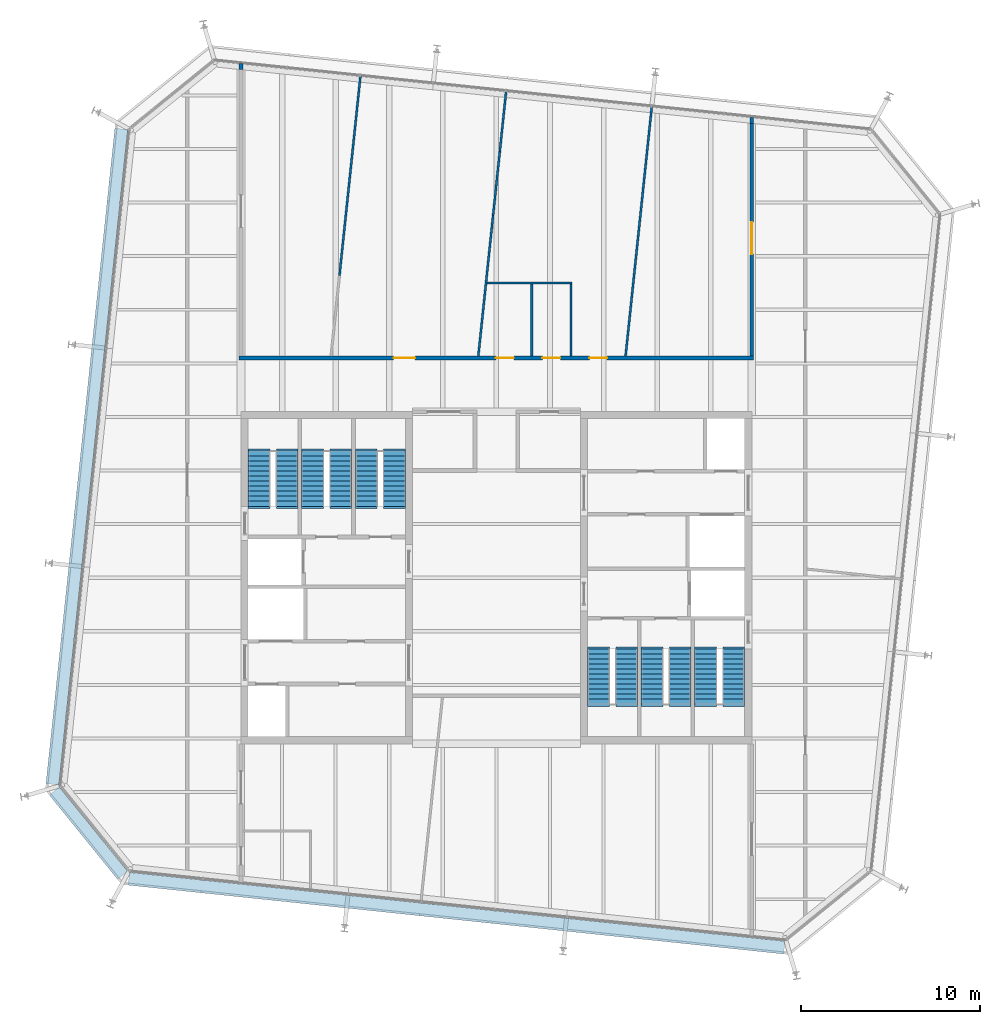
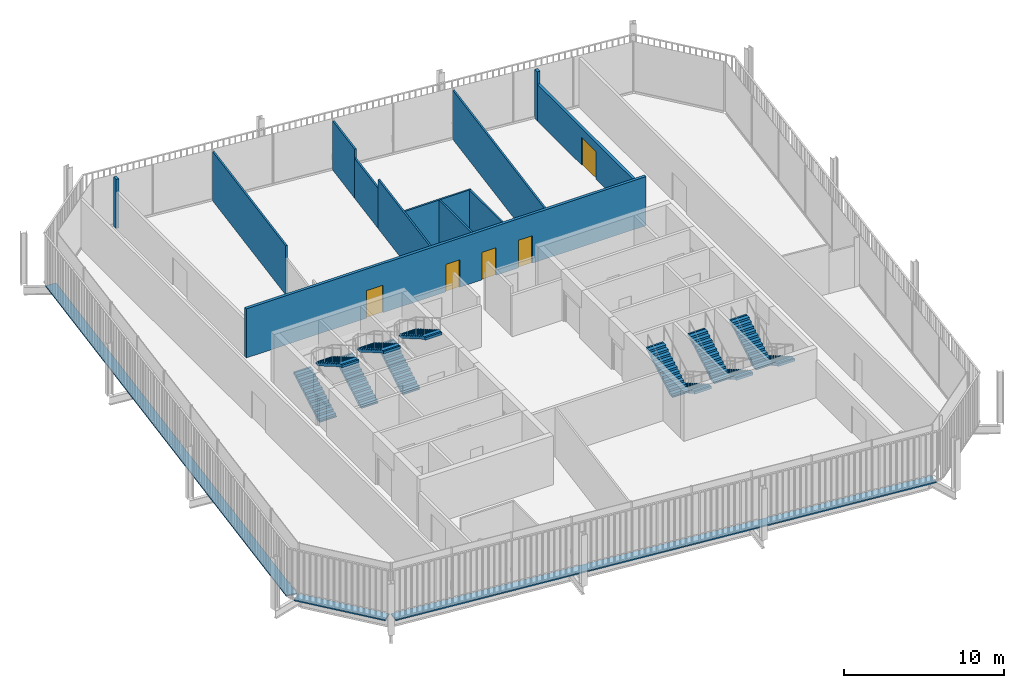
# One storey, part 18 of 20: 12 stair flights, 12 walls, 5 doors, 3 discrete accessories, 5 openings, 6 elements without a shape of their own.
"""IFC4 building model written with IfcOpenShell, lengths in metres."""

from ifc_helpers import new_model, si_unit, direction, frame, frame_2d, origin, origin_2d, place, context, subcontext, project, spatial, polyline, rectangle, outline, extrude, material, layer, layer_set, type_object, element, fill, aggregate, save


model = new_model("IFC4")

# Units and contexts
model_context = context("Model", 3, precision=1e-05, world=origin(), true_north=direction((0.0, 1.0)))
body_context = subcontext(model_context, "Body", "Model", "MODEL_VIEW")
ifc_project = project(units=[si_unit("LENGTHUNIT", "METRE"), si_unit("AREAUNIT", "SQUARE_METRE"), si_unit("VOLUMEUNIT", "CUBIC_METRE"), si_unit("PLANEANGLEUNIT", "RADIAN"), si_unit("MASSUNIT", "GRAM", prefix="KILO")], contexts=[model_context])

# Site, building, storey
site_placement = place(None, origin())
site = spatial("IfcSite", under=ifc_project, at=site_placement, CompositionType="ELEMENT")
building_placement = place(site_placement, origin())
building = spatial("IfcBuilding", under=site, at=building_placement, Name="Millrace Tower", CompositionType="ELEMENT")
storey_placement = place(building_placement, frame((0.0, 0.0, 279.89990234375)))
storey = spatial("IfcBuildingStorey", under=building, at=storey_placement, Name="L64", CompositionType="ELEMENT", Elevation=279.89990234375)

# Wall, openings, doors
ifc_material_1 = material(Name="Masonry partition, fire-rated", Category="masonry")
ifc_layer_1 = layer(ifc_material_1, 0.199951171875)
ifc_layer_set_1 = layer_set([ifc_layer_1], Name="Masonry partition, fire-rated")
wall_type_1 = type_object("IfcWallType", Name="Corridor wall 200", PredefinedType="PARTITIONING", material=ifc_layer_set_1)
wall_1_placement = place(storey_placement, frame((-14.39990234375, 12.300048828125, 0.0), z_axis=(0.0, 0.0, 1.0), x_axis=(1.0, 0.0, 0.0)))
wall_1 = element("IfcWall", 1, at=wall_1_placement, inside=storey, type_object=wall_type_1, Name="Corridor wall L64", PredefinedType="PARTITIONING", context=body_context, shape_type="SweptSolid", body=[
    extrude(rectangle(XDim=28.7998046875, YDim=0.199951171875, at=frame_2d((14.39990234375, 0.0))), origin(), (0.0, 0.0, 1.0), 3.739990234375),
])
opening_1_placement = place(wall_1_placement, frame((8.651611328125, 0.0, 0.0)))
opening_1 = element("IfcOpeningElement", 2, at=opening_1_placement, cuts=wall_1, Name="Opening 64-P005", PredefinedType="OPENING", context=body_context, shape_type="SweptSolid", body=[
    extrude(rectangle(XDim=1.199951171875, YDim=2.10009765625, at=frame_2d((0.60009765625, 1.050048828125))), frame((0.0, 0.10986328125, 0.0), z_axis=(0.0, -1.0, 0.0), x_axis=(1.0, 0.0, 0.0)), (0.0, 0.0, 1.0), 0.219970703125),
])
opening_2_placement = place(wall_1_placement, frame((19.596435546875, 0.0, 0.0)))
opening_2 = element("IfcOpeningElement", 3, at=opening_2_placement, cuts=wall_1, Name="Opening 64-P006", PredefinedType="OPENING", context=body_context, shape_type="SweptSolid", body=[
    extrude(rectangle(XDim=1.0, YDim=2.10009765625, at=frame_2d((0.5, 1.050048828125))), frame((0.0, 0.10986328125, 0.0), z_axis=(0.0, -1.0, 0.0), x_axis=(1.0, 0.0, 0.0)), (0.0, 0.0, 1.0), 0.219970703125),
])
opening_3_placement = place(wall_1_placement, frame((14.3740234375, 0.0, 0.0)))
opening_3 = element("IfcOpeningElement", 4, at=opening_3_placement, cuts=wall_1, Name="Opening 64-P007", PredefinedType="OPENING", context=body_context, shape_type="SweptSolid", body=[
    extrude(rectangle(XDim=1.0, YDim=2.10009765625, at=frame_2d((0.5, 1.050048828125))), frame((0.0, 0.10986328125, 0.0), z_axis=(0.0, -1.0, 0.0), x_axis=(1.0, 0.0, 0.0)), (0.0, 0.0, 1.0), 0.219970703125),
])
opening_4_placement = place(wall_1_placement, frame((16.97412109375, 0.0, 0.0)))
opening_4 = element("IfcOpeningElement", 5, at=opening_4_placement, cuts=wall_1, Name="Opening 64-P008", PredefinedType="OPENING", context=body_context, shape_type="SweptSolid", body=[
    extrude(rectangle(XDim=1.0, YDim=2.10009765625, at=frame_2d((0.5, 1.050048828125))), frame((0.0, 0.10986328125, 0.0), z_axis=(0.0, -1.0, 0.0), x_axis=(1.0, 0.0, 0.0)), (0.0, 0.0, 1.0), 0.219970703125),
])
ifc_material_2 = material(Name="Steel door set, fire-rated", Category="steel")
door_type_1 = type_object("IfcDoorType", Name="Corridor door 1000 x 2100", OperationType="SINGLE_SWING_LEFT", PredefinedType="DOOR", material=ifc_material_2)
door_1_placement = place(opening_2_placement, origin())
door_1 = element("IfcDoor", 6, at=door_1_placement, inside=storey, type_object=door_type_1, Name="Door 64-P006", OperationType="SINGLE_SWING_RIGHT", OverallHeight=2.10009765625, OverallWidth=1.0, PredefinedType="DOOR", context=body_context, shape_type="SweptSolid", body=[
    extrude(rectangle(XDim=1.0, YDim=2.10009765625, at=frame_2d((0.5, 1.050048828125))), frame((0.0, 0.02490234375, 0.0), z_axis=(0.0, -1.0, 0.0), x_axis=(1.0, 0.0, 0.0)), (0.0, 0.0, 1.0), 0.050048828125),
])
fill(opening_2, door_1)
door_2_placement = place(opening_3_placement, origin())
door_2 = element("IfcDoor", 7, at=door_2_placement, inside=storey, type_object=door_type_1, Name="Door 64-P007", OperationType="SINGLE_SWING_RIGHT", OverallHeight=2.10009765625, OverallWidth=1.0, PredefinedType="DOOR", context=body_context, shape_type="SweptSolid", body=[
    extrude(rectangle(XDim=1.0, YDim=2.10009765625, at=frame_2d((0.5, 1.050048828125))), frame((0.0, 0.02490234375, 0.0), z_axis=(0.0, -1.0, 0.0), x_axis=(1.0, 0.0, 0.0)), (0.0, 0.0, 1.0), 0.050048828125),
])
fill(opening_3, door_2)
door_3_placement = place(opening_4_placement, origin())
door_3 = element("IfcDoor", 8, at=door_3_placement, inside=storey, type_object=door_type_1, Name="Door 64-P008", OperationType="SINGLE_SWING_RIGHT", OverallHeight=2.10009765625, OverallWidth=1.0, PredefinedType="DOOR", context=body_context, shape_type="SweptSolid", body=[
    extrude(rectangle(XDim=1.0, YDim=2.10009765625, at=frame_2d((0.5, 1.050048828125))), frame((0.0, 0.02490234375, 0.0), z_axis=(0.0, -1.0, 0.0), x_axis=(1.0, 0.0, 0.0)), (0.0, 0.0, 1.0), 0.050048828125),
])
fill(opening_4, door_3)
ifc_material_3 = material(Name="Steel door set, fire-rated", Category="steel")
door_type_2 = type_object("IfcDoorType", Name="Corridor door 1200 x 2100", OperationType="SINGLE_SWING_LEFT", PredefinedType="DOOR", material=ifc_material_3)
door_4_placement = place(opening_1_placement, origin())
door_4 = element("IfcDoor", 9, at=door_4_placement, inside=storey, type_object=door_type_2, Name="Door 64-P005", OperationType="SINGLE_SWING_LEFT", OverallHeight=2.10009765625, OverallWidth=1.199951171875, PredefinedType="DOOR", context=body_context, shape_type="SweptSolid", body=[
    extrude(rectangle(XDim=1.199951171875, YDim=2.10009765625, at=frame_2d((0.60009765625, 1.050048828125))), frame((0.0, 0.02490234375, 0.0), z_axis=(0.0, -1.0, 0.0), x_axis=(1.0, 0.0, 0.0)), (0.0, 0.0, 1.0), 0.050048828125),
])
fill(opening_1, door_4)

# Wall, opening, door
wall_2_placement = place(storey_placement, frame((14.300048828125, 12.39990234375, 0.0), z_axis=(0.0, 0.0, 1.0), x_axis=(0.0, 1.0, 0.0)))
wall_2 = element("IfcWall", 10, at=wall_2_placement, inside=storey, type_object=wall_type_1, Name="Corridor wall L64", PredefinedType="PARTITIONING", context=body_context, shape_type="SweptSolid", body=[
    extrude(rectangle(XDim=13.034423828125, YDim=0.199951171875, at=frame_2d((6.51708984375, 0.0))), origin(), (0.0, 0.0, 1.0), 2.792724609375),
])
opening_5_placement = place(wall_2_placement, frame((5.71142578125, 0.0, 0.0)))
opening_5 = element("IfcOpeningElement", 11, at=opening_5_placement, cuts=wall_2, Name="Opening 64-P009", PredefinedType="OPENING", context=body_context, shape_type="SweptSolid", body=[
    extrude(rectangle(XDim=1.800048828125, YDim=2.10009765625, at=frame_2d((0.89990234375, 1.050048828125))), frame((0.0, 0.10986328125, 0.0), z_axis=(0.0, -1.0, 0.0), x_axis=(1.0, 0.0, 0.0)), (0.0, 0.0, 1.0), 0.219970703125),
])
ifc_material_4 = material(Name="Steel door set, fire-rated", Category="steel")
door_type_3 = type_object("IfcDoorType", Name="Corridor door 1800 x 2100", OperationType="DOUBLE_DOOR_SINGLE_SWING", PredefinedType="DOOR", material=ifc_material_4)
door_5_placement = place(opening_5_placement, origin())
door_5 = element("IfcDoor", 12, at=door_5_placement, inside=storey, type_object=door_type_3, Name="Door 64-P009", OperationType="DOUBLE_DOOR_SINGLE_SWING", OverallHeight=2.10009765625, OverallWidth=1.800048828125, PredefinedType="DOOR", context=body_context, shape_type="SweptSolid", body=[
    extrude(rectangle(XDim=1.800048828125, YDim=2.10009765625, at=frame_2d((0.89990234375, 1.050048828125))), frame((0.0, 0.02490234375, 0.0), z_axis=(0.0, -1.0, 0.0), x_axis=(1.0, 0.0, 0.0)), (0.0, 0.0, 1.0), 0.050048828125),
])
fill(opening_5, door_5)

# Walls
wall_3_placement = place(storey_placement, frame((14.300048828125, 25.434326171875, 0.0), z_axis=(0.0, 0.0, 1.0), x_axis=(0.0, 1.0, 0.0)))
element("IfcWall", 13, at=wall_3_placement, inside=storey, type_object=wall_type_1, Name="Corridor wall L64", PredefinedType="PARTITIONING", context=body_context, shape_type="SweptSolid", body=[
    extrude(rectangle(XDim=0.339111328125, YDim=0.199951171875, at=frame_2d((0.16943359375, 0.0))), origin(), (0.0, 0.0, 1.0), 3.739990234375),
])
wall_4_placement = place(storey_placement, frame((-14.300048828125, 28.440185546875, 0.0), z_axis=(0.0, 0.0, 1.0), x_axis=(0.0, 1.0, 0.0)))
element("IfcWall", 14, at=wall_4_placement, inside=storey, type_object=wall_type_1, Name="Corridor wall L64", PredefinedType="PARTITIONING", context=body_context, shape_type="SweptSolid", body=[
    extrude(rectangle(XDim=0.33935546875, YDim=0.199951171875, at=frame_2d((0.169677734375, 0.0))), origin(), (0.0, 0.0, 1.0), 3.739990234375),
])
ifc_material_5 = material(Name="Gypsum board partition")
ifc_layer_2 = layer(ifc_material_5, 0.1201171875)
ifc_layer_set_2 = layer_set([ifc_layer_2], Name="Gypsum board partition")
wall_type_2 = type_object("IfcWallType", Name="Partition wall 120", PredefinedType="PARTITIONING", material=ifc_layer_set_2)
wall_5_placement = place(storey_placement, frame((-0.52392578125, 16.5, 0.0), z_axis=(0.0, 0.0, 1.0), x_axis=(1.0, 0.0, 0.0)))
element("IfcWall", 15, at=wall_5_placement, inside=storey, type_object=wall_type_2, Name="Partition wall L64", PredefinedType="PARTITIONING", context=body_context, shape_type="SweptSolid", body=[
    extrude(rectangle(XDim=4.7578125, YDim=0.1201171875, at=frame_2d((2.37890625, 0.0))), origin(), (0.0, 0.0, 1.0), 3.739990234375),
])
wall_6_placement = place(storey_placement, frame((7.2294921875, 12.3994140625, 0.0), z_axis=(0.0, 0.0, 1.0), x_axis=(0.104543574031, 0.994520307047, 0.0)))
element("IfcWall", 16, at=wall_6_placement, inside=storey, type_object=wall_type_2, Name="Partition wall L64", PredefinedType="PARTITIONING", context=body_context, shape_type="SweptSolid", body=[
    extrude(rectangle(XDim=14.039794921875, YDim=0.1201171875, at=frame_2d((7.02001953125, 0.0))), origin(), (0.0, 0.0, 1.0), 3.739990234375),
])
wall_7_placement = place(storey_placement, frame((-1.014892578125, 12.3994140625, 0.0), z_axis=(0.0, 0.0, 1.0), x_axis=(0.104490466959, 0.994525888207, 0.0)))
element("IfcWall", 17, at=wall_7_placement, inside=storey, type_object=wall_type_2, Name="Partition wall L64", PredefinedType="PARTITIONING", context=body_context, shape_type="SweptSolid", body=[
    extrude(rectangle(XDim=7.91357421875, YDim=0.1201171875, at=frame_2d((3.956787109375, 0.0))), origin(), (0.0, 0.0, 1.0), 3.739990234375),
])
wall_8_placement = place(storey_placement, frame((-0.18798828125, 20.269775390625, 0.0), z_axis=(0.0, 0.0, 1.0), x_axis=(0.104508154604, 0.994524029685, 0.0)))
element("IfcWall", 18, at=wall_8_placement, inside=storey, type_object=wall_type_2, Name="Partition wall L64", PredefinedType="PARTITIONING", context=body_context, shape_type="SweptSolid", body=[
    extrude(rectangle(XDim=3.59765625, YDim=0.1201171875, at=frame_2d((1.798828125, 0.0))), origin(), (0.0, 0.0, 1.0), 3.046630859375),
])
wall_9_placement = place(storey_placement, frame((0.18798828125, 23.84765625, 0.0), z_axis=(0.0, 0.0, 1.0), x_axis=(0.104486114496, 0.994526345492, 0.0)))
element("IfcWall", 19, at=wall_9_placement, inside=storey, type_object=wall_type_2, Name="Partition wall L64", PredefinedType="PARTITIONING", context=body_context, shape_type="SweptSolid", body=[
    extrude(rectangle(XDim=3.390380859375, YDim=0.1201171875, at=frame_2d((1.6953125, 0.0))), origin(), (0.0, 0.0, 1.0), 3.739990234375),
])
wall_10_placement = place(storey_placement, frame((-8.78662109375, 16.908203125, 0.0), z_axis=(0.0, 0.0, 1.0), x_axis=(0.104526348567, 0.99452211763, 0.0)))
element("IfcWall", 20, at=wall_10_placement, inside=storey, type_object=wall_type_2, Name="Partition wall L64", PredefinedType="PARTITIONING", context=body_context, shape_type="SweptSolid", body=[
    extrude(rectangle(XDim=11.22998046875, YDim=0.1201171875, at=frame_2d((5.614990234375, 0.0))), origin(), (0.0, 0.0, 1.0), 3.739990234375),
])
for number, where, z_axis, x_axis, name in (
    (21, (4.174072265625, 12.39990234375, 0.0), (0.0, 0.0, 1.0), (0.0, 1.0, 0.0), "Partition wall L64"),
    (22, (1.97412109375, 12.39990234375, 0.0), (0.0, 0.0, 1.0), (0.0, 1.0, 0.0), "Partition wall L64"),
):
    element("IfcWall", number, at=place(storey_placement, frame(where, z_axis=z_axis, x_axis=x_axis)), inside=storey, type_object=wall_type_2, Name=name, PredefinedType="PARTITIONING", context=body_context, shape_type="SweptSolid", body=[
        extrude(rectangle(XDim=4.0400390625, YDim=0.1201171875, at=frame_2d((2.02001953125, 0.0))), origin(), (0.0, 0.0, 1.0), 3.739990234375),
    ])

# Stair, stair flights
ifc_material_6 = material(Name="Concrete C35", Category="concrete")
stair_type = type_object("IfcStairType", Name="Exit stair", PredefinedType="HALF_TURN_STAIR", material=ifc_material_6)
placement = place(storey_placement, origin())
stair_1 = element("IfcStair", 23, at=placement, inside=storey, type_object=stair_type, Name="Stair 1 W L64", PredefinedType="HALF_TURN_STAIR")
ifc_material_7 = material(Name="Concrete C35", Category="concrete")
stair_flight_type = type_object("IfcStairFlightType", Name="Exit stair flight", PredefinedType="STRAIGHT", material=ifc_material_7)
stair_flight_1_placement = place(storey_placement, frame((-13.2900390625, 4.0, 0.0), z_axis=(0.0, 0.0, 1.0), x_axis=(0.0, 1.0, 0.0)))
stair_flight_1 = element("IfcStairFlight", 24, at=stair_flight_1_placement, type_object=stair_flight_type, Name="ST12 flight 1", NumberOfRisers=12, NumberOfTreads=11, PredefinedType="STRAIGHT", RiserHeight=0.1625, TreadLength=0.28, context=body_context, shape_type="SweptSolid", body=[
    extrude(outline(polyline([(-0.1201171875, -0.0400390625), (-0.1201171875, 0.0), (0.0, 0.0), (0.0, 0.16259765625), (0.280029296875, 0.16259765625), (0.280029296875, 0.324951171875), (0.56005859375, 0.324951171875), (0.56005859375, 0.487548828125), (0.840087890625, 0.487548828125), (0.840087890625, 0.64990234375), (1.1201171875, 0.64990234375), (1.1201171875, 0.8125), (1.39990234375, 0.8125), (1.39990234375, 0.97509765625), (1.679931640625, 0.97509765625), (1.679931640625, 1.137451171875), (1.9599609375, 1.137451171875), (1.9599609375, 1.300048828125), (2.239990234375, 1.300048828125), (2.239990234375, 1.46240234375), (2.52001953125, 1.46240234375), (2.52001953125, 1.625), (2.800048828125, 1.625), (2.800048828125, 1.78759765625), (3.080078125, 1.78759765625), (3.080078125, 1.8076171875), (3.199951171875, 1.8076171875), (3.199951171875, 1.6142578125), (3.080078125, 1.6142578125), (0.298583984375, 0.0), (0.298583984375, -0.0400390625), (-0.1201171875, -0.0400390625)])), frame((0.0, 0.60986328125, 0.0), z_axis=(0.0, -1.0, 0.0), x_axis=(1.0, 0.0, 0.0)), (0.0, 0.0, 1.0), 1.219970703125),
])
stair_flight_2_placement = place(storey_placement, frame((-11.7099609375, 7.080078125, 1.9501953125), z_axis=(0.0, 0.0, 1.0), x_axis=(0.0, -1.0, 0.0)))
stair_flight_2 = element("IfcStairFlight", 25, at=stair_flight_2_placement, type_object=stair_flight_type, Name="ST12 flight 2", NumberOfRisers=12, NumberOfTreads=11, PredefinedType="STRAIGHT", RiserHeight=0.1625, TreadLength=0.28, context=body_context, shape_type="SweptSolid", body=[
    extrude(outline(polyline([(-0.1201171875, -0.0400390625), (-0.1201171875, 0.0), (0.0, 0.0), (0.0, 0.16259765625), (0.280029296875, 0.16259765625), (0.280029296875, 0.324951171875), (0.56005859375, 0.324951171875), (0.56005859375, 0.487548828125), (0.840087890625, 0.487548828125), (0.840087890625, 0.64990234375), (1.1201171875, 0.64990234375), (1.1201171875, 0.8125), (1.39990234375, 0.8125), (1.39990234375, 0.97509765625), (1.679931640625, 0.97509765625), (1.679931640625, 1.137451171875), (1.9599609375, 1.137451171875), (1.9599609375, 1.300048828125), (2.239990234375, 1.300048828125), (2.239990234375, 1.46240234375), (2.52001953125, 1.46240234375), (2.52001953125, 1.625), (2.800048828125, 1.625), (2.800048828125, 1.78759765625), (3.080078125, 1.78759765625), (3.080078125, 1.8076171875), (3.199951171875, 1.8076171875), (3.199951171875, 1.6142578125), (3.080078125, 1.6142578125), (0.298583984375, 0.0), (0.298583984375, -0.0400390625), (-0.1201171875, -0.0400390625)])), frame((0.0, 0.60986328125, 0.0), z_axis=(0.0, -1.0, 0.0), x_axis=(1.0, 0.0, 0.0)), (0.0, 0.0, 1.0), 1.219970703125),
])
aggregate(stair_1, [stair_flight_1, stair_flight_2])

stair_2 = element("IfcStair", 26, at=placement, inside=storey, type_object=stair_type, Name="Stair 2 W L64", PredefinedType="HALF_TURN_STAIR")
stair_flight_3_placement = place(storey_placement, frame((-10.2900390625, 4.0, 0.0), z_axis=(0.0, 0.0, 1.0), x_axis=(0.0, 1.0, 0.0)))
stair_flight_3 = element("IfcStairFlight", 27, at=stair_flight_3_placement, type_object=stair_flight_type, Name="ST12 flight 1", NumberOfRisers=12, NumberOfTreads=11, PredefinedType="STRAIGHT", RiserHeight=0.1625, TreadLength=0.28, context=body_context, shape_type="SweptSolid", body=[
    extrude(outline(polyline([(-0.1201171875, -0.0400390625), (-0.1201171875, 0.0), (0.0, 0.0), (0.0, 0.16259765625), (0.280029296875, 0.16259765625), (0.280029296875, 0.324951171875), (0.56005859375, 0.324951171875), (0.56005859375, 0.487548828125), (0.840087890625, 0.487548828125), (0.840087890625, 0.64990234375), (1.1201171875, 0.64990234375), (1.1201171875, 0.8125), (1.39990234375, 0.8125), (1.39990234375, 0.97509765625), (1.679931640625, 0.97509765625), (1.679931640625, 1.137451171875), (1.9599609375, 1.137451171875), (1.9599609375, 1.300048828125), (2.239990234375, 1.300048828125), (2.239990234375, 1.46240234375), (2.52001953125, 1.46240234375), (2.52001953125, 1.625), (2.800048828125, 1.625), (2.800048828125, 1.78759765625), (3.080078125, 1.78759765625), (3.080078125, 1.8076171875), (3.199951171875, 1.8076171875), (3.199951171875, 1.6142578125), (3.080078125, 1.6142578125), (0.298583984375, 0.0), (0.298583984375, -0.0400390625), (-0.1201171875, -0.0400390625)])), frame((0.0, 0.60986328125, 0.0), z_axis=(0.0, -1.0, 0.0), x_axis=(1.0, 0.0, 0.0)), (0.0, 0.0, 1.0), 1.219970703125),
])
stair_flight_4_placement = place(storey_placement, frame((-8.7099609375, 7.080078125, 1.9501953125), z_axis=(0.0, 0.0, 1.0), x_axis=(0.0, -1.0, 0.0)))
stair_flight_4 = element("IfcStairFlight", 28, at=stair_flight_4_placement, type_object=stair_flight_type, Name="ST12 flight 2", NumberOfRisers=12, NumberOfTreads=11, PredefinedType="STRAIGHT", RiserHeight=0.1625, TreadLength=0.28, context=body_context, shape_type="SweptSolid", body=[
    extrude(outline(polyline([(-0.1201171875, -0.0400390625), (-0.1201171875, 0.0), (0.0, 0.0), (0.0, 0.16259765625), (0.280029296875, 0.16259765625), (0.280029296875, 0.324951171875), (0.56005859375, 0.324951171875), (0.56005859375, 0.487548828125), (0.840087890625, 0.487548828125), (0.840087890625, 0.64990234375), (1.1201171875, 0.64990234375), (1.1201171875, 0.8125), (1.39990234375, 0.8125), (1.39990234375, 0.97509765625), (1.679931640625, 0.97509765625), (1.679931640625, 1.137451171875), (1.9599609375, 1.137451171875), (1.9599609375, 1.300048828125), (2.239990234375, 1.300048828125), (2.239990234375, 1.46240234375), (2.52001953125, 1.46240234375), (2.52001953125, 1.625), (2.800048828125, 1.625), (2.800048828125, 1.78759765625), (3.080078125, 1.78759765625), (3.080078125, 1.8076171875), (3.199951171875, 1.8076171875), (3.199951171875, 1.6142578125), (3.080078125, 1.6142578125), (0.298583984375, 0.0), (0.298583984375, -0.0400390625), (-0.1201171875, -0.0400390625)])), frame((0.0, 0.60986328125, 0.0), z_axis=(0.0, -1.0, 0.0), x_axis=(1.0, 0.0, 0.0)), (0.0, 0.0, 1.0), 1.219970703125),
])
aggregate(stair_2, [stair_flight_3, stair_flight_4])

stair_3 = element("IfcStair", 29, at=placement, inside=storey, type_object=stair_type, Name="Stair 3 W L64", PredefinedType="HALF_TURN_STAIR")
stair_flight_5_placement = place(storey_placement, frame((-7.2900390625, 4.0, 0.0), z_axis=(0.0, 0.0, 1.0), x_axis=(0.0, 1.0, 0.0)))
stair_flight_5 = element("IfcStairFlight", 30, at=stair_flight_5_placement, type_object=stair_flight_type, Name="ST12 flight 1", NumberOfRisers=12, NumberOfTreads=11, PredefinedType="STRAIGHT", RiserHeight=0.1625, TreadLength=0.28, context=body_context, shape_type="SweptSolid", body=[
    extrude(outline(polyline([(-0.1201171875, -0.0400390625), (-0.1201171875, 0.0), (0.0, 0.0), (0.0, 0.16259765625), (0.280029296875, 0.16259765625), (0.280029296875, 0.324951171875), (0.56005859375, 0.324951171875), (0.56005859375, 0.487548828125), (0.840087890625, 0.487548828125), (0.840087890625, 0.64990234375), (1.1201171875, 0.64990234375), (1.1201171875, 0.8125), (1.39990234375, 0.8125), (1.39990234375, 0.97509765625), (1.679931640625, 0.97509765625), (1.679931640625, 1.137451171875), (1.9599609375, 1.137451171875), (1.9599609375, 1.300048828125), (2.239990234375, 1.300048828125), (2.239990234375, 1.46240234375), (2.52001953125, 1.46240234375), (2.52001953125, 1.625), (2.800048828125, 1.625), (2.800048828125, 1.78759765625), (3.080078125, 1.78759765625), (3.080078125, 1.8076171875), (3.199951171875, 1.8076171875), (3.199951171875, 1.6142578125), (3.080078125, 1.6142578125), (0.298583984375, 0.0), (0.298583984375, -0.0400390625), (-0.1201171875, -0.0400390625)])), frame((0.0, 0.60986328125, 0.0), z_axis=(0.0, -1.0, 0.0), x_axis=(1.0, 0.0, 0.0)), (0.0, 0.0, 1.0), 1.219970703125),
])
stair_flight_6_placement = place(storey_placement, frame((-5.7099609375, 7.080078125, 1.9501953125), z_axis=(0.0, 0.0, 1.0), x_axis=(0.0, -1.0, 0.0)))
stair_flight_6 = element("IfcStairFlight", 31, at=stair_flight_6_placement, type_object=stair_flight_type, Name="ST12 flight 2", NumberOfRisers=12, NumberOfTreads=11, PredefinedType="STRAIGHT", RiserHeight=0.1625, TreadLength=0.28, context=body_context, shape_type="SweptSolid", body=[
    extrude(outline(polyline([(-0.1201171875, -0.0400390625), (-0.1201171875, 0.0), (0.0, 0.0), (0.0, 0.16259765625), (0.280029296875, 0.16259765625), (0.280029296875, 0.324951171875), (0.56005859375, 0.324951171875), (0.56005859375, 0.487548828125), (0.840087890625, 0.487548828125), (0.840087890625, 0.64990234375), (1.1201171875, 0.64990234375), (1.1201171875, 0.8125), (1.39990234375, 0.8125), (1.39990234375, 0.97509765625), (1.679931640625, 0.97509765625), (1.679931640625, 1.137451171875), (1.9599609375, 1.137451171875), (1.9599609375, 1.300048828125), (2.239990234375, 1.300048828125), (2.239990234375, 1.46240234375), (2.52001953125, 1.46240234375), (2.52001953125, 1.625), (2.800048828125, 1.625), (2.800048828125, 1.78759765625), (3.080078125, 1.78759765625), (3.080078125, 1.8076171875), (3.199951171875, 1.8076171875), (3.199951171875, 1.6142578125), (3.080078125, 1.6142578125), (0.298583984375, 0.0), (0.298583984375, -0.0400390625), (-0.1201171875, -0.0400390625)])), frame((0.0, 0.60986328125, 0.0), z_axis=(0.0, -1.0, 0.0), x_axis=(1.0, 0.0, 0.0)), (0.0, 0.0, 1.0), 1.219970703125),
])
aggregate(stair_3, [stair_flight_5, stair_flight_6])

stair_4 = element("IfcStair", 32, at=placement, inside=storey, type_object=stair_type, Name="Stair 1 E L64", PredefinedType="HALF_TURN_STAIR")
stair_flight_7_placement = place(storey_placement, frame((13.2900390625, -4.0, 0.0), z_axis=(0.0, 0.0, 1.0), x_axis=(0.0, -1.0, 0.0)))
stair_flight_7 = element("IfcStairFlight", 33, at=stair_flight_7_placement, type_object=stair_flight_type, Name="ST12 flight 1", NumberOfRisers=12, NumberOfTreads=11, PredefinedType="STRAIGHT", RiserHeight=0.1625, TreadLength=0.28, context=body_context, shape_type="SweptSolid", body=[
    extrude(outline(polyline([(-0.1201171875, -0.0400390625), (-0.1201171875, 0.0), (0.0, 0.0), (0.0, 0.16259765625), (0.280029296875, 0.16259765625), (0.280029296875, 0.324951171875), (0.56005859375, 0.324951171875), (0.56005859375, 0.487548828125), (0.840087890625, 0.487548828125), (0.840087890625, 0.64990234375), (1.1201171875, 0.64990234375), (1.1201171875, 0.8125), (1.39990234375, 0.8125), (1.39990234375, 0.97509765625), (1.679931640625, 0.97509765625), (1.679931640625, 1.137451171875), (1.9599609375, 1.137451171875), (1.9599609375, 1.300048828125), (2.239990234375, 1.300048828125), (2.239990234375, 1.46240234375), (2.52001953125, 1.46240234375), (2.52001953125, 1.625), (2.800048828125, 1.625), (2.800048828125, 1.78759765625), (3.080078125, 1.78759765625), (3.080078125, 1.8076171875), (3.199951171875, 1.8076171875), (3.199951171875, 1.6142578125), (3.080078125, 1.6142578125), (0.298583984375, 0.0), (0.298583984375, -0.0400390625), (-0.1201171875, -0.0400390625)])), frame((0.0, 0.60986328125, 0.0), z_axis=(0.0, -1.0, 0.0), x_axis=(1.0, 0.0, 0.0)), (0.0, 0.0, 1.0), 1.219970703125),
])
stair_flight_8_placement = place(storey_placement, frame((11.7099609375, -7.080078125, 1.9501953125), z_axis=(0.0, 0.0, 1.0), x_axis=(0.0, 1.0, 0.0)))
stair_flight_8 = element("IfcStairFlight", 34, at=stair_flight_8_placement, type_object=stair_flight_type, Name="ST12 flight 2", NumberOfRisers=12, NumberOfTreads=11, PredefinedType="STRAIGHT", RiserHeight=0.1625, TreadLength=0.28, context=body_context, shape_type="SweptSolid", body=[
    extrude(outline(polyline([(-0.1201171875, -0.0400390625), (-0.1201171875, 0.0), (0.0, 0.0), (0.0, 0.16259765625), (0.280029296875, 0.16259765625), (0.280029296875, 0.324951171875), (0.56005859375, 0.324951171875), (0.56005859375, 0.487548828125), (0.840087890625, 0.487548828125), (0.840087890625, 0.64990234375), (1.1201171875, 0.64990234375), (1.1201171875, 0.8125), (1.39990234375, 0.8125), (1.39990234375, 0.97509765625), (1.679931640625, 0.97509765625), (1.679931640625, 1.137451171875), (1.9599609375, 1.137451171875), (1.9599609375, 1.300048828125), (2.239990234375, 1.300048828125), (2.239990234375, 1.46240234375), (2.52001953125, 1.46240234375), (2.52001953125, 1.625), (2.800048828125, 1.625), (2.800048828125, 1.78759765625), (3.080078125, 1.78759765625), (3.080078125, 1.8076171875), (3.199951171875, 1.8076171875), (3.199951171875, 1.6142578125), (3.080078125, 1.6142578125), (0.298583984375, 0.0), (0.298583984375, -0.0400390625), (-0.1201171875, -0.0400390625)])), frame((0.0, 0.60986328125, 0.0), z_axis=(0.0, -1.0, 0.0), x_axis=(1.0, 0.0, 0.0)), (0.0, 0.0, 1.0), 1.219970703125),
])
aggregate(stair_4, [stair_flight_7, stair_flight_8])

stair_5 = element("IfcStair", 35, at=placement, inside=storey, type_object=stair_type, Name="Stair 2 E L64", PredefinedType="HALF_TURN_STAIR")
stair_flight_9_placement = place(storey_placement, frame((10.2900390625, -4.0, 0.0), z_axis=(0.0, 0.0, 1.0), x_axis=(0.0, -1.0, 0.0)))
stair_flight_9 = element("IfcStairFlight", 36, at=stair_flight_9_placement, type_object=stair_flight_type, Name="ST12 flight 1", NumberOfRisers=12, NumberOfTreads=11, PredefinedType="STRAIGHT", RiserHeight=0.1625, TreadLength=0.28, context=body_context, shape_type="SweptSolid", body=[
    extrude(outline(polyline([(-0.1201171875, -0.0400390625), (-0.1201171875, 0.0), (0.0, 0.0), (0.0, 0.16259765625), (0.280029296875, 0.16259765625), (0.280029296875, 0.324951171875), (0.56005859375, 0.324951171875), (0.56005859375, 0.487548828125), (0.840087890625, 0.487548828125), (0.840087890625, 0.64990234375), (1.1201171875, 0.64990234375), (1.1201171875, 0.8125), (1.39990234375, 0.8125), (1.39990234375, 0.97509765625), (1.679931640625, 0.97509765625), (1.679931640625, 1.137451171875), (1.9599609375, 1.137451171875), (1.9599609375, 1.300048828125), (2.239990234375, 1.300048828125), (2.239990234375, 1.46240234375), (2.52001953125, 1.46240234375), (2.52001953125, 1.625), (2.800048828125, 1.625), (2.800048828125, 1.78759765625), (3.080078125, 1.78759765625), (3.080078125, 1.8076171875), (3.199951171875, 1.8076171875), (3.199951171875, 1.6142578125), (3.080078125, 1.6142578125), (0.298583984375, 0.0), (0.298583984375, -0.0400390625), (-0.1201171875, -0.0400390625)])), frame((0.0, 0.60986328125, 0.0), z_axis=(0.0, -1.0, 0.0), x_axis=(1.0, 0.0, 0.0)), (0.0, 0.0, 1.0), 1.219970703125),
])
stair_flight_10_placement = place(storey_placement, frame((8.7099609375, -7.080078125, 1.9501953125), z_axis=(0.0, 0.0, 1.0), x_axis=(0.0, 1.0, 0.0)))
stair_flight_10 = element("IfcStairFlight", 37, at=stair_flight_10_placement, type_object=stair_flight_type, Name="ST12 flight 2", NumberOfRisers=12, NumberOfTreads=11, PredefinedType="STRAIGHT", RiserHeight=0.1625, TreadLength=0.28, context=body_context, shape_type="SweptSolid", body=[
    extrude(outline(polyline([(-0.1201171875, -0.0400390625), (-0.1201171875, 0.0), (0.0, 0.0), (0.0, 0.16259765625), (0.280029296875, 0.16259765625), (0.280029296875, 0.324951171875), (0.56005859375, 0.324951171875), (0.56005859375, 0.487548828125), (0.840087890625, 0.487548828125), (0.840087890625, 0.64990234375), (1.1201171875, 0.64990234375), (1.1201171875, 0.8125), (1.39990234375, 0.8125), (1.39990234375, 0.97509765625), (1.679931640625, 0.97509765625), (1.679931640625, 1.137451171875), (1.9599609375, 1.137451171875), (1.9599609375, 1.300048828125), (2.239990234375, 1.300048828125), (2.239990234375, 1.46240234375), (2.52001953125, 1.46240234375), (2.52001953125, 1.625), (2.800048828125, 1.625), (2.800048828125, 1.78759765625), (3.080078125, 1.78759765625), (3.080078125, 1.8076171875), (3.199951171875, 1.8076171875), (3.199951171875, 1.6142578125), (3.080078125, 1.6142578125), (0.298583984375, 0.0), (0.298583984375, -0.0400390625), (-0.1201171875, -0.0400390625)])), frame((0.0, 0.60986328125, 0.0), z_axis=(0.0, -1.0, 0.0), x_axis=(1.0, 0.0, 0.0)), (0.0, 0.0, 1.0), 1.219970703125),
])
aggregate(stair_5, [stair_flight_9, stair_flight_10])

stair_6 = element("IfcStair", 38, at=placement, inside=storey, type_object=stair_type, Name="Stair 3 E L64", PredefinedType="HALF_TURN_STAIR")
stair_flight_11_placement = place(storey_placement, frame((7.2900390625, -4.0, 0.0), z_axis=(0.0, 0.0, 1.0), x_axis=(0.0, -1.0, 0.0)))
stair_flight_11 = element("IfcStairFlight", 39, at=stair_flight_11_placement, type_object=stair_flight_type, Name="ST12 flight 1", NumberOfRisers=12, NumberOfTreads=11, PredefinedType="STRAIGHT", RiserHeight=0.1625, TreadLength=0.28, context=body_context, shape_type="SweptSolid", body=[
    extrude(outline(polyline([(-0.1201171875, -0.0400390625), (-0.1201171875, 0.0), (0.0, 0.0), (0.0, 0.16259765625), (0.280029296875, 0.16259765625), (0.280029296875, 0.324951171875), (0.56005859375, 0.324951171875), (0.56005859375, 0.487548828125), (0.840087890625, 0.487548828125), (0.840087890625, 0.64990234375), (1.1201171875, 0.64990234375), (1.1201171875, 0.8125), (1.39990234375, 0.8125), (1.39990234375, 0.97509765625), (1.679931640625, 0.97509765625), (1.679931640625, 1.137451171875), (1.9599609375, 1.137451171875), (1.9599609375, 1.300048828125), (2.239990234375, 1.300048828125), (2.239990234375, 1.46240234375), (2.52001953125, 1.46240234375), (2.52001953125, 1.625), (2.800048828125, 1.625), (2.800048828125, 1.78759765625), (3.080078125, 1.78759765625), (3.080078125, 1.8076171875), (3.199951171875, 1.8076171875), (3.199951171875, 1.6142578125), (3.080078125, 1.6142578125), (0.298583984375, 0.0), (0.298583984375, -0.0400390625), (-0.1201171875, -0.0400390625)])), frame((0.0, 0.60986328125, 0.0), z_axis=(0.0, -1.0, 0.0), x_axis=(1.0, 0.0, 0.0)), (0.0, 0.0, 1.0), 1.219970703125),
])
stair_flight_12_placement = place(storey_placement, frame((5.7099609375, -7.080078125, 1.9501953125), z_axis=(0.0, 0.0, 1.0), x_axis=(0.0, 1.0, 0.0)))
stair_flight_12 = element("IfcStairFlight", 40, at=stair_flight_12_placement, type_object=stair_flight_type, Name="ST12 flight 2", NumberOfRisers=12, NumberOfTreads=11, PredefinedType="STRAIGHT", RiserHeight=0.1625, TreadLength=0.28, context=body_context, shape_type="SweptSolid", body=[
    extrude(outline(polyline([(-0.1201171875, -0.0400390625), (-0.1201171875, 0.0), (0.0, 0.0), (0.0, 0.16259765625), (0.280029296875, 0.16259765625), (0.280029296875, 0.324951171875), (0.56005859375, 0.324951171875), (0.56005859375, 0.487548828125), (0.840087890625, 0.487548828125), (0.840087890625, 0.64990234375), (1.1201171875, 0.64990234375), (1.1201171875, 0.8125), (1.39990234375, 0.8125), (1.39990234375, 0.97509765625), (1.679931640625, 0.97509765625), (1.679931640625, 1.137451171875), (1.9599609375, 1.137451171875), (1.9599609375, 1.300048828125), (2.239990234375, 1.300048828125), (2.239990234375, 1.46240234375), (2.52001953125, 1.46240234375), (2.52001953125, 1.625), (2.800048828125, 1.625), (2.800048828125, 1.78759765625), (3.080078125, 1.78759765625), (3.080078125, 1.8076171875), (3.199951171875, 1.8076171875), (3.199951171875, 1.6142578125), (3.080078125, 1.6142578125), (0.298583984375, 0.0), (0.298583984375, -0.0400390625), (-0.1201171875, -0.0400390625)])), frame((0.0, 0.60986328125, 0.0), z_axis=(0.0, -1.0, 0.0), x_axis=(1.0, 0.0, 0.0)), (0.0, 0.0, 1.0), 1.219970703125),
])
aggregate(stair_6, [stair_flight_11, stair_flight_12])

# Discrete accessories
ifc_material_8 = material(Name="Stainless steel ASTM A240 type 316", Category="steel")
discrete_accessory_type = type_object("IfcDiscreteAccessoryType", Name="Thermally broken screen support rail", PredefinedType="BRACKET", material=ifc_material_8)
discrete_accessory_placement = place(storey_placement, frame((-22.836669921875, -14.304931640625, 0.0), z_axis=(0.0, 0.0, 1.0), x_axis=(0.629320278945, -0.777146052237, 0.0)))
element("IfcDiscreteAccessory", 41, at=discrete_accessory_placement, inside=storey, type_object=discrete_accessory_type, Name="Thermally broken screen support rail E-F01 L64 1", PredefinedType="BRACKET", context=body_context, shape_type="SweptSolid", body=[
    extrude(rectangle(XDim=6.0810546875, YDim=0.719970703125, at=origin_2d()), origin(), (0.0, 0.0, 1.0), 0.10009765625),
])
for number, where, z_axis, x_axis, name in (
    (42, (-2.2314453125, -18.782470703125, 0.0), (0.0, 0.0, 1.0), (0.994521896217, -0.104528455196, 0.0), "Thermally broken screen support rail E-F02 L64 1"),
    (43, (-22.9326171875, 6.78125, 0.0), (0.0, 0.0, 1.0), (-0.104528455196, -0.994521896217, 0.0), "Thermally broken screen support rail E-F08 L64 1"),
):
    element("IfcDiscreteAccessory", number, at=place(storey_placement, frame(where, z_axis=z_axis, x_axis=x_axis)), inside=storey, type_object=discrete_accessory_type, Name=name, PredefinedType="BRACKET", context=body_context, shape_type="SweptSolid", body=[
        extrude(rectangle(XDim=36.89990234375, YDim=0.719970703125, at=origin_2d()), origin(), (0.0, 0.0, 1.0), 0.10009765625),
    ])

save(model, "model.ifc")
